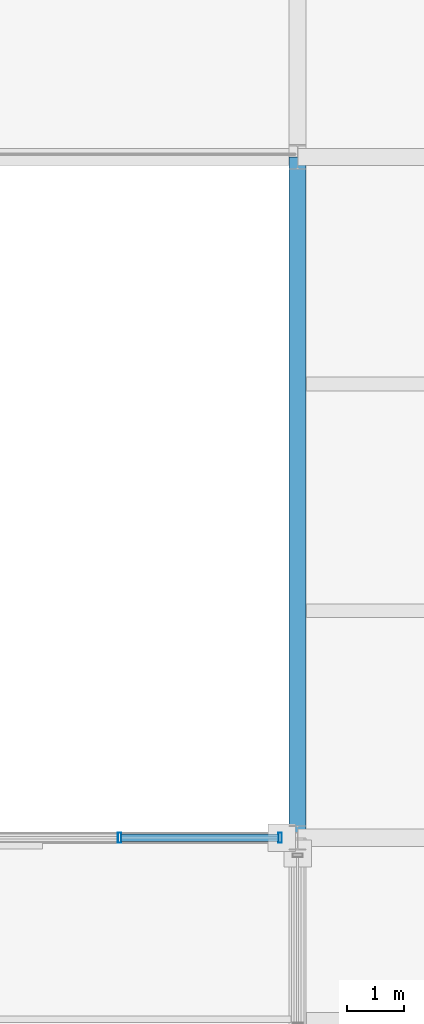
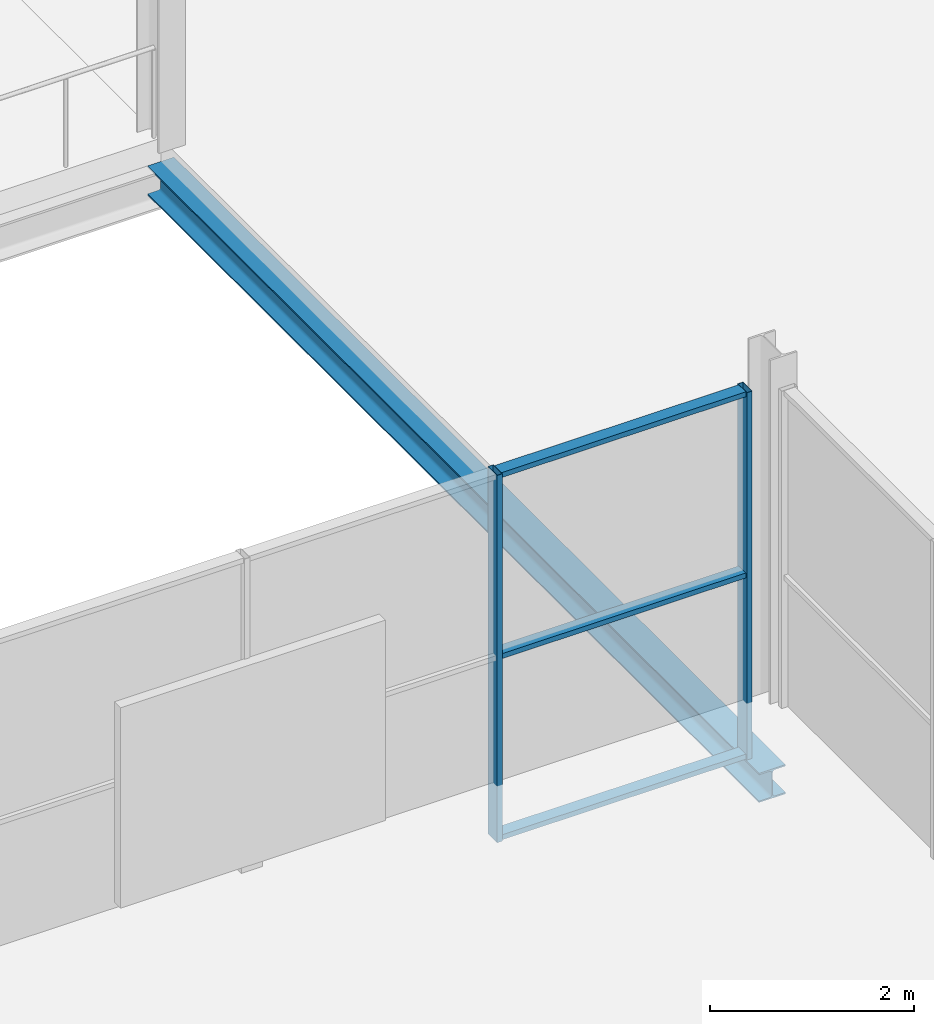
# One storey, part 102 of 159: 5 members, 1 beam, 1 element without a shape of its own.
"""IFC4 building model written with IfcOpenShell, lengths in metres."""

from ifc_helpers import new_model, si_unit, direction, frame, origin, origin_2d, place, context, subcontext, project, spatial, hollow_rectangle, i_section, extrude, material, material_profile, profile_set, type_object, element, aggregate, save


model = new_model("IFC4")

# Units and contexts
model_context = context("Model", 3, precision=1e-05, world=origin(), true_north=direction((0.0, 1.0)))
body_context = subcontext(model_context, "Body", "Model", "MODEL_VIEW")
ifc_project = project(units=[si_unit("LENGTHUNIT", "METRE"), si_unit("AREAUNIT", "SQUARE_METRE"), si_unit("VOLUMEUNIT", "CUBIC_METRE"), si_unit("PLANEANGLEUNIT", "RADIAN"), si_unit("MASSUNIT", "GRAM", prefix="KILO")], contexts=[model_context])

# Site, building, storey
site_placement = place(None, origin())
site = spatial("IfcSite", under=ifc_project, at=site_placement, CompositionType="ELEMENT")
building_placement = place(site_placement, origin())
building = spatial("IfcBuilding", under=site, at=building_placement, Name="Merenkruunu Market Hall", CompositionType="ELEMENT")
storey_placement = place(building_placement, frame((0.0, 0.0, 5.39990234375)))
storey = spatial("IfcBuildingStorey", under=building, at=storey_placement, Name="L01", CompositionType="ELEMENT", Elevation=5.39990234375)

# Curtain wall, members
ifc_material_1 = material(Name="Powder-coated aluminium", Category="aluminium")
curtain_wall_type = type_object("IfcCurtainWallType", Name="Glazed Curtain Wall CW02", PredefinedType="USERDEFINED", material=ifc_material_1)
curtain_wall_placement = place(storey_placement, origin())
curtain_wall = element("IfcCurtainWall", 1, at=curtain_wall_placement, inside=storey, type_object=curtain_wall_type, Name="CW-L01-CWM02-199", ObjectType="GLAZED_FACADE", PredefinedType="USERDEFINED")
ifc_material_profile_1 = material_profile(ifc_material_1, hollow_rectangle(XDim=0.06005859375, YDim=0.179931640625, WallThickness=0.00390625, at=origin_2d()), Name="ALU 60x180x4")
ifc_profile_set_1 = profile_set([ifc_material_profile_1], Name="Powder-coated aluminium")
member_type_1 = type_object("IfcMemberType", Name="Curtain Wall Mullion CWM02", PredefinedType="MULLION", material=ifc_profile_set_1)
member_1_placement = place(storey_placement, frame((148.489990234375, 15.60009765625, 0.0), z_axis=(0.0, 0.0, 1.0), x_axis=(-1.0, 0.0, 0.0)))
member_1 = element("IfcMember", 2, at=member_1_placement, type_object=member_type_1, Name="CW02 mullion 1", PredefinedType="MULLION", context=body_context, shape_type="SweptSolid", body=[
    extrude(hollow_rectangle(XDim=0.06005859375, YDim=0.179931640625, WallThickness=0.00390625, at=origin_2d()), origin(), (0.0, 0.0, 1.0), 4.400146484375),
])
member_2_placement = place(storey_placement, frame((145.659912109375, 15.60009765625, 0.0), z_axis=(0.0, 0.0, 1.0), x_axis=(-1.0, 0.0, 0.0)))
member_2 = element("IfcMember", 3, at=member_2_placement, type_object=member_type_1, Name="CW02 mullion 2", PredefinedType="MULLION", context=body_context, shape_type="SweptSolid", body=[
    extrude(hollow_rectangle(XDim=0.06005859375, YDim=0.179931640625, WallThickness=0.00390625, at=origin_2d()), origin(), (0.0, 0.0, 1.0), 4.400146484375),
])
ifc_material_profile_2 = material_profile(ifc_material_1, hollow_rectangle(XDim=0.06005859375, YDim=0.139892578125, WallThickness=0.00390625, at=origin_2d()), Name="ALU 60x140x4")
ifc_profile_set_2 = profile_set([ifc_material_profile_2], Name="Powder-coated aluminium")
member_type_2 = type_object("IfcMemberType", Name="Curtain Wall Transom CWT02", PredefinedType="USERDEFINED", material=ifc_profile_set_2)
member_3_placement = place(storey_placement, frame((148.4599609375, 15.60009765625, 0.030029296875), z_axis=(-1.0, 0.0, 0.0), x_axis=(0.0, 0.0, 1.0)))
member_3 = element("IfcMember", 4, at=member_3_placement, type_object=member_type_2, Name="CW02 transom 1.1", ObjectType="TRANSOM", PredefinedType="USERDEFINED", context=body_context, shape_type="SweptSolid", body=[
    extrude(hollow_rectangle(XDim=0.06005859375, YDim=0.139892578125, WallThickness=0.00390625, at=origin_2d()), origin(), (0.0, 0.0, 1.0), 2.77001953125),
])
member_4_placement = place(storey_placement, frame((148.4599609375, 15.60009765625, 2.2001953125), z_axis=(-1.0, 0.0, 0.0), x_axis=(0.0, 0.0, 1.0)))
member_4 = element("IfcMember", 5, at=member_4_placement, type_object=member_type_2, Name="CW02 transom 1.2", ObjectType="TRANSOM", PredefinedType="USERDEFINED", context=body_context, shape_type="SweptSolid", body=[
    extrude(hollow_rectangle(XDim=0.06005859375, YDim=0.139892578125, WallThickness=0.00390625, at=origin_2d()), origin(), (0.0, 0.0, 1.0), 2.77001953125),
])
member_5_placement = place(storey_placement, frame((148.4599609375, 15.60009765625, 4.3701171875), z_axis=(-1.0, 0.0, 0.0), x_axis=(0.0, 0.0, 1.0)))
member_5 = element("IfcMember", 6, at=member_5_placement, type_object=member_type_2, Name="CW02 transom 1.3", ObjectType="TRANSOM", PredefinedType="USERDEFINED", context=body_context, shape_type="SweptSolid", body=[
    extrude(hollow_rectangle(XDim=0.06005859375, YDim=0.139892578125, WallThickness=0.00390625, at=origin_2d()), origin(), (0.0, 0.0, 1.0), 2.77001953125),
])
aggregate(curtain_wall, [member_1, member_2, member_3, member_4, member_5])

# Beam
ifc_material_2 = material(Name="Steel S355J2", Category="steel")
ifc_material_profile_3 = material_profile(ifc_material_2, i_section(OverallWidth=0.300048828125, OverallDepth=0.35009765625, WebThickness=0.010009765625, FlangeThickness=0.017578125, FilletRadius=0.027099609375, at=origin_2d()), Name="HEA 360")
ifc_profile_set_3 = profile_set([ifc_material_profile_3], Name="Steel S355J2")
beam_type = type_object("IfcBeamType", Name="Primary Floor Girder B08", PredefinedType="BEAM", material=ifc_profile_set_3)
beam_placement = place(storey_placement, frame((148.800048828125, 15.60009765625, -0.454833984375), z_axis=(0.0, 1.0, 0.0), x_axis=(-1.0, 0.0, 0.0)))
element("IfcBeam", 7, at=beam_placement, inside=storey, type_object=beam_type, Name="BM-L01-B08-0617", PredefinedType="BEAM", context=body_context, shape_type="SweptSolid", body=[
    extrude(i_section(OverallWidth=0.300048828125, OverallDepth=0.35009765625, WebThickness=0.010009765625, FlangeThickness=0.017578125, FilletRadius=0.027099609375, at=origin_2d()), origin(), (0.0, 0.0, 1.0), 12.0),
])

save(model, "model.ifc")
